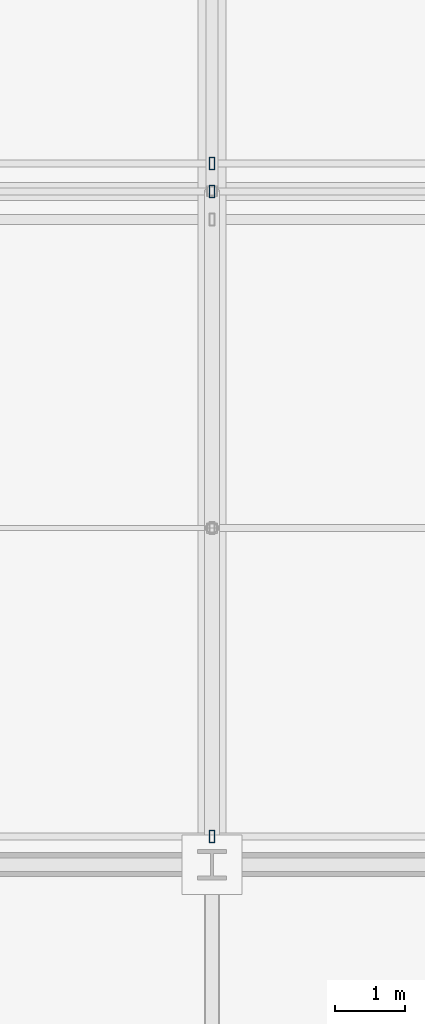
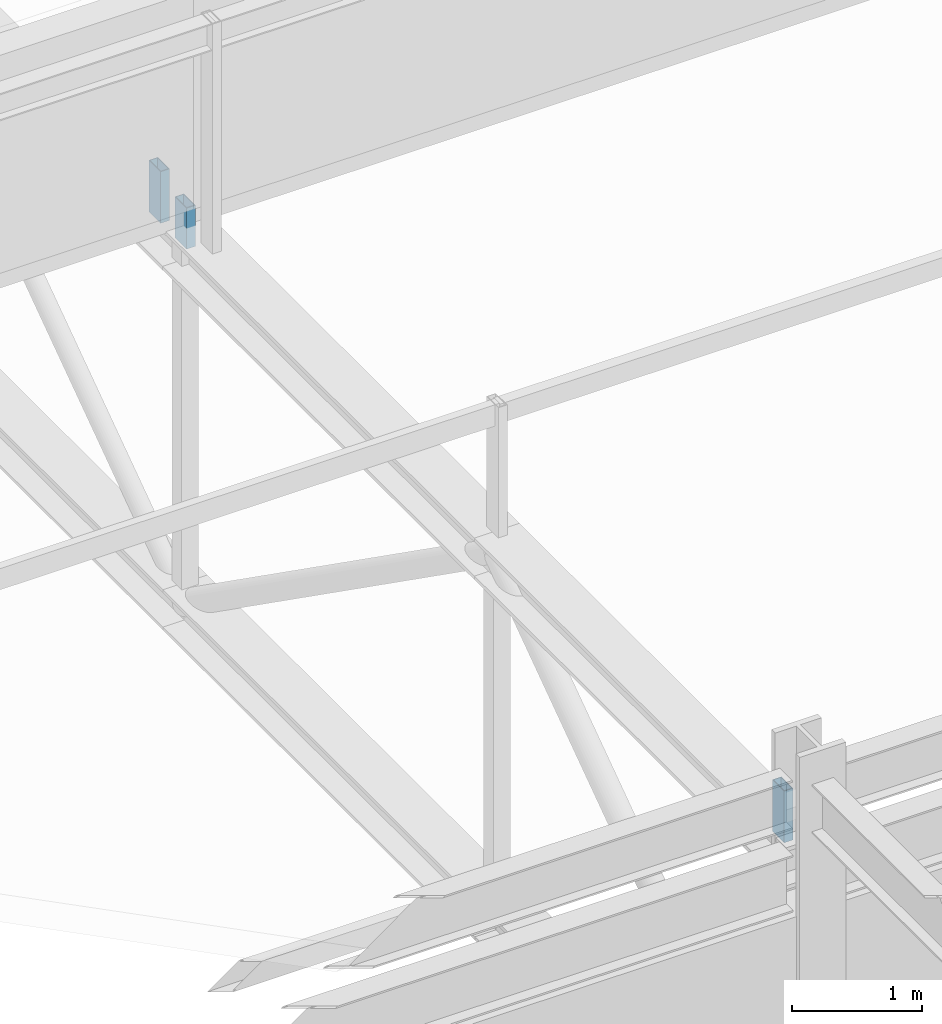
# One storey, part 87 of 136: 3 members.
"""IFC4 building model written with IfcOpenShell, lengths in metres."""

from ifc_helpers import new_model, si_unit, direction, frame, origin, origin_2d, place, context, subcontext, project, spatial, hollow_rectangle, extrude, material, material_profile, profile_set, type_object, element, save


model = new_model("IFC4")

# Units and contexts
model_context = context("Model", 3, precision=1e-05, world=origin(), true_north=direction((0.0, 1.0)))
body_context = subcontext(model_context, "Body", "Model", "MODEL_VIEW")
ifc_project = project(units=[si_unit("LENGTHUNIT", "METRE"), si_unit("AREAUNIT", "SQUARE_METRE"), si_unit("VOLUMEUNIT", "CUBIC_METRE"), si_unit("PLANEANGLEUNIT", "RADIAN"), si_unit("MASSUNIT", "GRAM", prefix="KILO")], contexts=[model_context])

# Site, building, storey
site_placement = place(None, origin())
site = spatial("IfcSite", under=ifc_project, at=site_placement, CompositionType="ELEMENT")
building_placement = place(site_placement, origin())
building = spatial("IfcBuilding", under=site, at=building_placement, Name="Kisiwana Market Hall", CompositionType="ELEMENT")
storey_placement = place(building_placement, frame((0.0, 0.0, 16.800048828125)))
storey = spatial("IfcBuildingStorey", under=building, at=storey_placement, Name="L03", CompositionType="ELEMENT", Elevation=16.800048828125)

# Members
ifc_material = material(Name="Steel S355", Category="steel")
ifc_material_profile = material_profile(ifc_material, hollow_rectangle(XDim=0.080078125, YDim=0.179931640625, WallThickness=0.00634765625, at=origin_2d()), Name="RHS 180x80x6.3")
ifc_profile_set = profile_set([ifc_material_profile], Name="Steel S355")
member_type = type_object("IfcMemberType", Name="MB-CAN-STRUT", PredefinedType="STRUT", material=ifc_profile_set)
member_1_placement = place(storey_placement, frame((135.0, 36.39990234375, 3.619873046875), z_axis=(0.0, 0.0, 1.0), x_axis=(1.0, 0.0, 0.0)))
element("IfcMember", 1, at=member_1_placement, inside=storey, type_object=member_type, Name="Sawtooth raker post 171 M-0242", PredefinedType="STRUT", context=body_context, shape_type="SweptSolid", body=[
    extrude(hollow_rectangle(XDim=0.080078125, YDim=0.179931640625, WallThickness=0.00634765625, at=origin_2d()), origin(), (0.0, 0.0, 1.0), 0.485107421875),
])
member_2_placement = place(storey_placement, frame((135.0, 45.60009765625, 3.619873046875), z_axis=(0.0, 0.0, 1.0), x_axis=(1.0, 0.0, 0.0)))
element("IfcMember", 2, at=member_2_placement, inside=storey, type_object=member_type, Name="Sawtooth raker post 173 M-0244", PredefinedType="STRUT", context=body_context, shape_type="SweptSolid", body=[
    extrude(hollow_rectangle(XDim=0.080078125, YDim=0.179931640625, WallThickness=0.00634765625, at=origin_2d()), origin(), (0.0, 0.0, 1.0), 0.385009765625),
])
member_3_placement = place(storey_placement, frame((135.0, 46.0, 3.619873046875), z_axis=(0.0, 0.0, 1.0), x_axis=(1.0, 0.0, 0.0)))
element("IfcMember", 3, at=member_3_placement, inside=storey, type_object=member_type, Name="Sawtooth raker post 216 M-0266", PredefinedType="STRUT", context=body_context, shape_type="SweptSolid", body=[
    extrude(hollow_rectangle(XDim=0.080078125, YDim=0.179931640625, WallThickness=0.00634765625, at=origin_2d()), origin(), (0.0, 0.0, 1.0), 0.485107421875),
])

save(model, "model.ifc")
